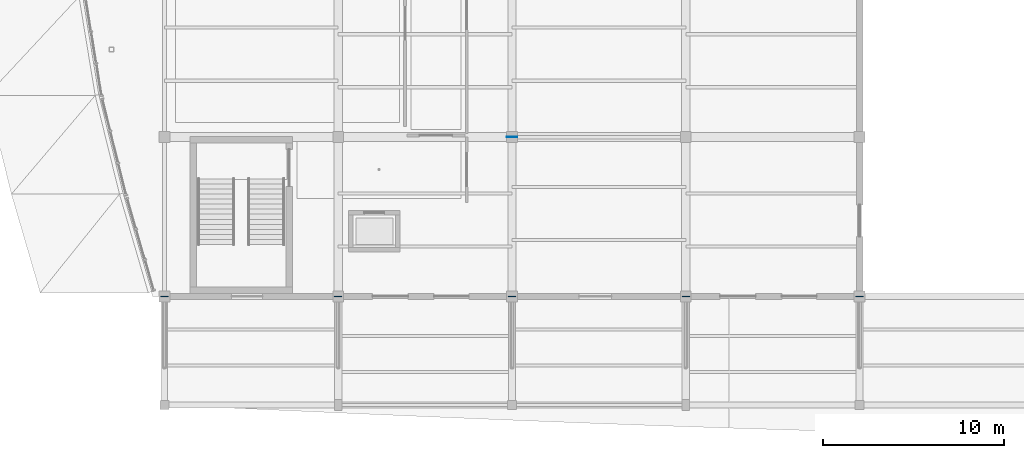
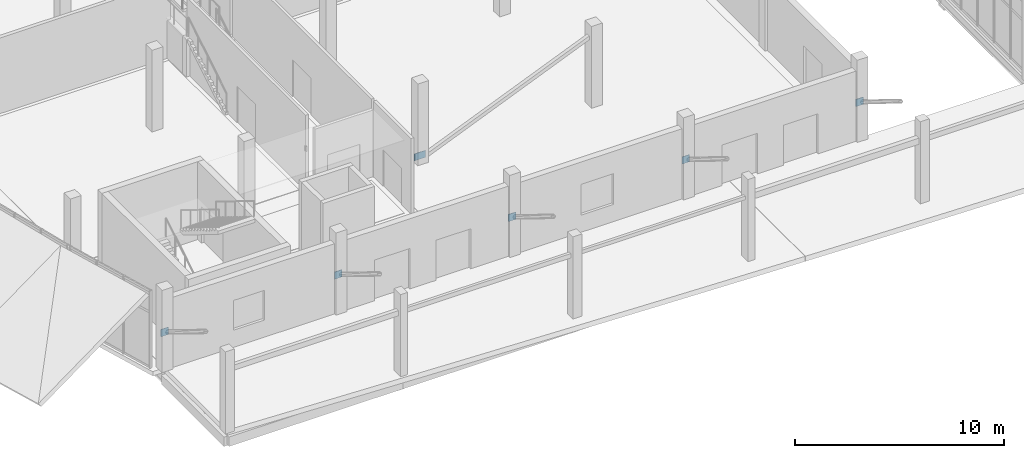
# One storey, part 71 of 116: 6 plates.
"""IFC4 building model written with IfcOpenShell, lengths in metres."""

from ifc_helpers import new_model, si_unit, direction, frame, origin, origin_2d, place, context, subcontext, project, spatial, rectangle, extrude, material, layer, layer_set, type_object, element, save


model = new_model("IFC4")

# Units and contexts
model_context = context("Model", 3, precision=1e-05, world=origin(), true_north=direction((0.0, 1.0)))
body_context = subcontext(model_context, "Body", "Model", "MODEL_VIEW")
ifc_project = project(units=[si_unit("LENGTHUNIT", "METRE"), si_unit("AREAUNIT", "SQUARE_METRE"), si_unit("VOLUMEUNIT", "CUBIC_METRE"), si_unit("PLANEANGLEUNIT", "RADIAN"), si_unit("MASSUNIT", "GRAM", prefix="KILO")], contexts=[model_context])

# Site, building, storey
site_placement = place(None, origin())
site = spatial("IfcSite", under=ifc_project, at=site_placement, CompositionType="ELEMENT")
building_placement = place(site_placement, origin())
building = spatial("IfcBuilding", under=site, at=building_placement, Name="Chalmorin Arch Market", CompositionType="ELEMENT")
storey_placement = place(building_placement, origin())
storey = spatial("IfcBuildingStorey", under=building, at=storey_placement, Name="L00", CompositionType="ELEMENT", Elevation=0.0)

# Plates
ifc_material = material(Name="Steel A572 Grade 50", Category="steel")
ifc_layer = layer(ifc_material, 0.02490234375)
ifc_layer_set = layer_set([ifc_layer], Name="Steel A572 Grade 50")
plate_type = type_object("IfcPlateType", Name="NodeGussetPlate-600x400x25", PredefinedType="SHEET", material=ifc_layer_set)
for number, where, z_axis, x_axis, name in (
    (1, (0.0, 6.0, 1.89013671875), (0.0, 0.0, 1.0), (1.0, 0.0, 0.0), "GP-01-001"),
    (2, (9.60009765625, 6.0, 1.89013671875), (0.0, 0.0, 1.0), (1.0, 0.0, 0.0), "GP-01-003"),
    (3, (19.199951171875, 6.0, 1.89013671875), (0.0, 0.0, 1.0), (1.0, 0.0, 0.0), "GP-01-005"),
    (4, (28.800048828125, 6.0, 1.89013671875), (0.0, 0.0, 1.0), (1.0, 0.0, 0.0), "GP-01-007"),
    (5, (38.39990234375, 6.0, 1.89013671875), (0.0, 0.0, 1.0), (1.0, 0.0, 0.0), "GP-01-009"),
):
    element("IfcPlate", number, at=place(storey_placement, frame(where, z_axis=z_axis, x_axis=x_axis)), inside=storey, type_object=plate_type, Name=name, PredefinedType="SHEET", context=body_context, shape_type="SweptSolid", body=[
        extrude(rectangle(XDim=0.419921875, YDim=0.030029296875, at=origin_2d()), origin(), (0.0, 0.0, 1.0), 0.419921875),
    ])
plate_placement = place(storey_placement, frame((19.199951171875, 14.800048828125, 0.150146484375), z_axis=(0.0, 0.0, 1.0), x_axis=(1.0, 0.0, 0.0)))
element("IfcPlate", 6, at=plate_placement, inside=storey, type_object=plate_type, Name="GP-01-165", PredefinedType="SHEET", context=body_context, shape_type="SweptSolid", body=[
    extrude(rectangle(XDim=0.60009765625, YDim=0.02490234375, at=origin_2d()), origin(), (0.0, 0.0, 1.0), 0.39990234375),
])

save(model, "model.ifc")
